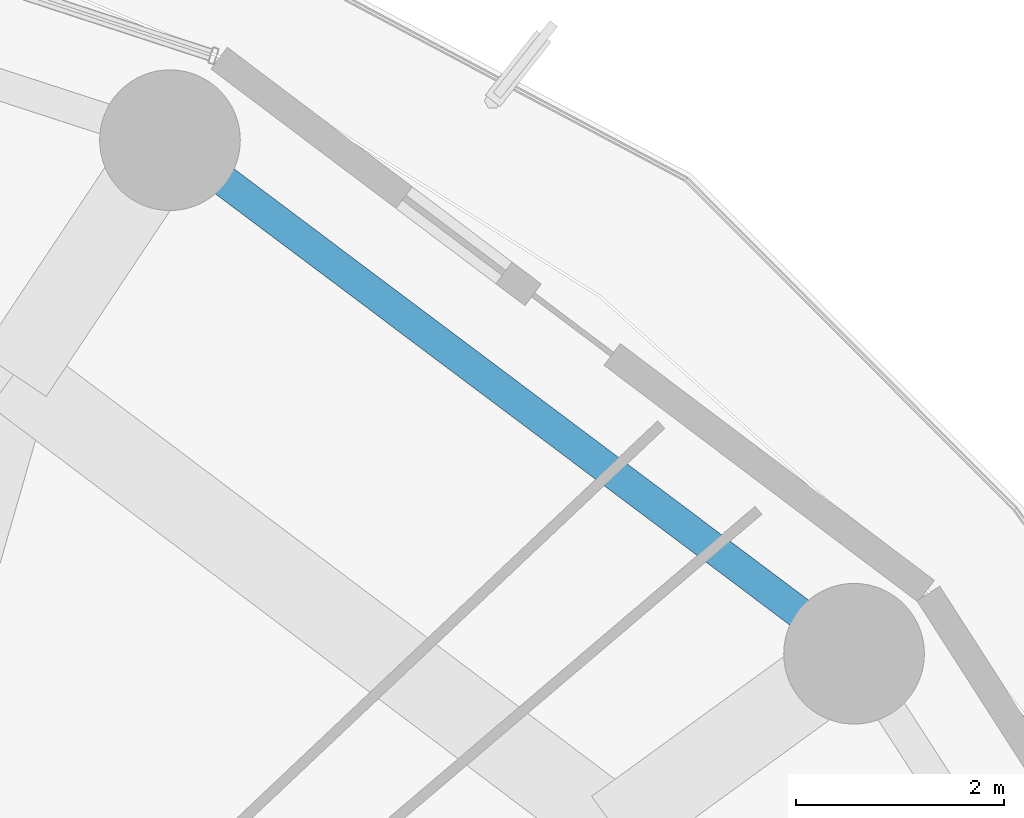
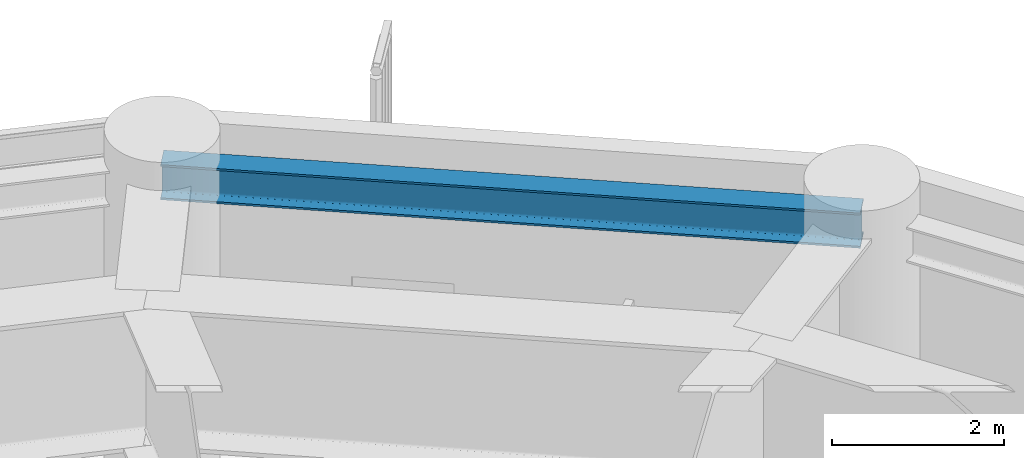
# One storey, part 24 of 34: 1 beam.
"""IFC4 building model written with IfcOpenShell, lengths in metres."""

from ifc_helpers import new_model, si_unit, direction, frame, origin, origin_2d, place, context, subcontext, project, spatial, i_section, extrude, material, material_profile, profile_set, type_object, element, save


model = new_model("IFC4")

# Units and contexts
model_context = context("Model", 3, precision=1e-05, world=origin(), true_north=direction((0.0, 1.0)))
body_context = subcontext(model_context, "Body", "Model", "MODEL_VIEW")
ifc_project = project(units=[si_unit("LENGTHUNIT", "METRE"), si_unit("AREAUNIT", "SQUARE_METRE"), si_unit("VOLUMEUNIT", "CUBIC_METRE"), si_unit("PLANEANGLEUNIT", "RADIAN"), si_unit("MASSUNIT", "GRAM", prefix="KILO")], contexts=[model_context])

# Site, building, storey
site_placement = place(None, origin())
site = spatial("IfcSite", under=ifc_project, at=site_placement, CompositionType="ELEMENT")
building_placement = place(site_placement, origin())
building = spatial("IfcBuilding", under=site, at=building_placement, Name="Kelanora Arch Commons", CompositionType="ELEMENT")
storey_placement = place(building_placement, frame((0.0, 0.0, 125.10009765625)))
storey = spatial("IfcBuildingStorey", under=building, at=storey_placement, Name="L32", CompositionType="ELEMENT", Elevation=125.10009765625)

# Beam
ifc_material = material(Name="Steel S355", Category="steel")
ifc_material_profile = material_profile(ifc_material, i_section(OverallWidth=0.300048828125, OverallDepth=0.5, WebThickness=0.014404296875, FlangeThickness=0.028076171875, FilletRadius=0.027099609375, at=origin_2d()), Name="HEB500")
ifc_profile_set = profile_set([ifc_material_profile], Name="Steel S355")
beam_type = type_object("IfcBeamType", Name="BM-SPN-Z2", PredefinedType="SPANDREL", material=ifc_profile_set)
beam_placement = place(storey_placement, frame((92.906005859375, 72.19287109375, 4.10986328125), z_axis=(-0.799735861602, 0.600352023123, 0.0), x_axis=(-0.600352023123, -0.799735861602, 0.0)))
element("IfcBeam", 1, at=beam_placement, inside=storey, type_object=beam_type, Name="Perimeter Spandrel Beam BS-04 L32", PredefinedType="SPANDREL", context=body_context, shape_type="SweptSolid", body=[
    extrude(i_section(OverallWidth=0.300048828125, OverallDepth=0.5, WebThickness=0.014404296875, FlangeThickness=0.028076171875, FilletRadius=0.027099609375, at=origin_2d()), origin(), (0.0, 0.0, 1.0), 8.210205078125),
])

save(model, "model.ifc")
